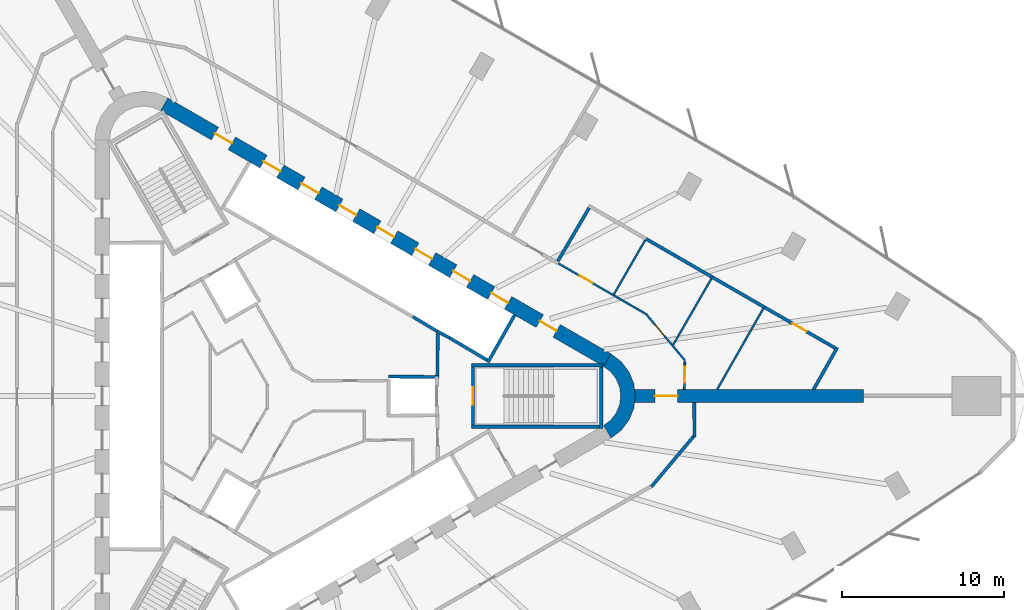
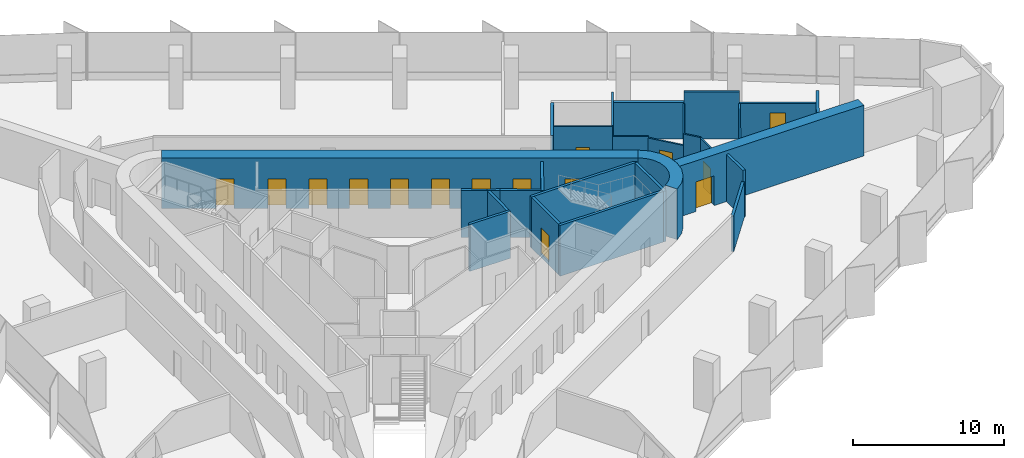
# One storey, part 12 of 14: 28 walls, 15 doors, 15 openings.
"""IFC4 building model written with IfcOpenShell, lengths in metres."""

from ifc_helpers import new_model, si_unit, direction, frame, frame_2d, origin, place, context, subcontext, project, spatial, polyline, rectangle, outline, extrude, material, layer, layer_set, type_object, element, fill, save


model = new_model("IFC4")

# Units and contexts
model_context = context("Model", 3, precision=1e-05, world=origin(), true_north=direction((0.0, 1.0)))
body_context = subcontext(model_context, "Body", "Model", "MODEL_VIEW")
ifc_project = project(units=[si_unit("LENGTHUNIT", "METRE"), si_unit("AREAUNIT", "SQUARE_METRE"), si_unit("VOLUMEUNIT", "CUBIC_METRE"), si_unit("PLANEANGLEUNIT", "RADIAN"), si_unit("MASSUNIT", "GRAM", prefix="KILO")], contexts=[model_context])

# Site, building, storey
site_placement = place(None, origin())
site = spatial("IfcSite", under=ifc_project, at=site_placement, CompositionType="ELEMENT")
building_placement = place(site_placement, origin())
building = spatial("IfcBuilding", under=site, at=building_placement, Name="Tanit Gate Tower", CompositionType="ELEMENT")
storey_placement = place(building_placement, frame((0.0, 0.0, 49.60009765625)))
storey = spatial("IfcBuildingStorey", under=building, at=storey_placement, Name="L08", CompositionType="ELEMENT", Elevation=49.60009765625)

# Wall, opening, door
ifc_material_1 = material(Name="Concrete C60/75", Category="concrete")
ifc_layer_1 = layer(ifc_material_1, 0.800048828125)
ifc_layer_set_1 = layer_set([ifc_layer_1], Name="BUTTRESS FIN 800 C60/75")
wall_type_1 = type_object("IfcWallType", Name="BUTTRESS FIN 800 C60/75", PredefinedType="SHEAR", material=ifc_layer_set_1)
wall_1_placement = place(storey_placement, frame((21.14990234375, 0.0, 0.0), z_axis=(0.0, 0.0, 1.0), x_axis=(1.0, 0.0, 0.0)))
wall_1 = element("IfcWall", 1, at=wall_1_placement, inside=storey, type_object=wall_type_1, Name="BUTTRESS FIN", PredefinedType="SHEAR", context=body_context, shape_type="SweptSolid", body=[
    extrude(rectangle(XDim=14.09814453125, YDim=0.800048828125, at=frame_2d((7.049072265625, 0.0))), origin(), (0.0, 0.0, 1.0), 4.099853515625),
])
opening_1_placement = place(wall_1_placement, frame((1.25, 0.0, 0.0)))
opening_1 = element("IfcOpeningElement", 2, at=opening_1_placement, cuts=wall_1, Name="Opening P14-S00-F-E-1", PredefinedType="OPENING", context=body_context, shape_type="SweptSolid", body=[
    extrude(rectangle(XDim=1.39990234375, YDim=2.39990234375, at=frame_2d((0.699951171875, 1.199951171875))), frame((0.0, 0.41015625, 0.0), z_axis=(0.0, -1.0, 0.0), x_axis=(1.0, 0.0, 0.0)), (0.0, 0.0, 1.0), 0.820068359375),
])
ifc_material_2 = material(Name="Timber door leaf", Category="wood")
door_type_1 = type_object("IfcDoorType", Name="INT-DOOR-FIN-PAIR-1400", OperationType="NOTDEFINED", PredefinedType="NOTDEFINED", material=ifc_material_2)
door_1_placement = place(opening_1_placement, origin())
door_1 = element("IfcDoor", 3, at=door_1_placement, inside=storey, type_object=door_type_1, Name="Door P14-S00-F-E-1", OperationType="DOUBLE_DOOR_SINGLE_SWING", OverallHeight=2.39990234375, OverallWidth=1.39990234375, PredefinedType="NOTDEFINED", context=body_context, shape_type="SweptSolid", body=[
    extrude(rectangle(XDim=1.39990234375, YDim=2.39990234375, at=frame_2d((0.699951171875, 1.199951171875))), frame((0.0, 0.02490234375, 0.0), z_axis=(0.0, -1.0, 0.0), x_axis=(1.0, 0.0, 0.0)), (0.0, 0.0, 1.0), 0.050048828125),
])
fill(opening_1, door_1)

# Wall, openings, doors
ifc_material_3 = material(Name="Concrete C60/75", Category="concrete")
ifc_layer_2 = layer(ifc_material_3, 0.89990234375)
ifc_layer_set_2 = layer_set([ifc_layer_2], Name="CORE WALL 900 C60/75")
wall_type_2 = type_object("IfcWallType", Name="CORE WALL 900 C60/75", PredefinedType="SHEAR", material=ifc_layer_set_2)
wall_2_placement = place(storey_placement, frame((19.47509765625, 2.20849609375, 0.0), z_axis=(0.0, 0.0, 1.0), x_axis=(-0.866028369851, 0.499994862586, 0.0)))
wall_2 = element("IfcWall", 4, at=wall_2_placement, inside=storey, type_object=wall_type_2, Name="CORE WALL", PredefinedType="SHEAR", context=body_context, shape_type="SweptSolid", body=[
    extrude(rectangle(XDim=31.523193359375, YDim=0.89990234375, at=frame_2d((15.76171875, 0.0))), origin(), (0.0, 0.0, 1.0), 4.099853515625),
])
opening_2_placement = place(wall_2_placement, frame((7.0615234375, 0.0, 0.0)))
opening_2 = element("IfcOpeningElement", 5, at=opening_2_placement, cuts=wall_2, Name="Opening LDLL8-S00", PredefinedType="OPENING", context=body_context, shape_type="SweptSolid", body=[
    extrude(rectangle(XDim=1.199951171875, YDim=2.39990234375, at=frame_2d((0.60009765625, 1.199951171875))), frame((0.0, 0.4599609375, 0.0), z_axis=(0.0, -1.0, 0.0), x_axis=(1.0, 0.0, 0.0)), (0.0, 0.0, 1.0), 0.919921875),
])
opening_3_placement = place(wall_2_placement, frame((9.76171875, 0.0, 0.0)))
opening_3 = element("IfcOpeningElement", 6, at=opening_3_placement, cuts=wall_2, Name="Opening LDLL9-S00", PredefinedType="OPENING", context=body_context, shape_type="SweptSolid", body=[
    extrude(rectangle(XDim=1.199951171875, YDim=2.39990234375, at=frame_2d((0.60009765625, 1.199951171875))), frame((0.0, 0.4599609375, 0.0), z_axis=(0.0, -1.0, 0.0), x_axis=(1.0, 0.0, 0.0)), (0.0, 0.0, 1.0), 0.919921875),
])
opening_4_placement = place(wall_2_placement, frame((12.461669921875, 0.0, 0.0)))
opening_4 = element("IfcOpeningElement", 7, at=opening_4_placement, cuts=wall_2, Name="Opening LDLL10-S00", PredefinedType="OPENING", context=body_context, shape_type="SweptSolid", body=[
    extrude(rectangle(XDim=1.199951171875, YDim=2.39990234375, at=frame_2d((0.60009765625, 1.199951171875))), frame((0.0, 0.4599609375, 0.0), z_axis=(0.0, -1.0, 0.0), x_axis=(1.0, 0.0, 0.0)), (0.0, 0.0, 1.0), 0.919921875),
])
opening_5_placement = place(wall_2_placement, frame((15.16162109375, 0.0, 0.0)))
opening_5 = element("IfcOpeningElement", 8, at=opening_5_placement, cuts=wall_2, Name="Opening LDSL1-S00", PredefinedType="OPENING", context=body_context, shape_type="SweptSolid", body=[
    extrude(rectangle(XDim=1.199951171875, YDim=2.39990234375, at=frame_2d((0.60009765625, 1.199951171875))), frame((0.0, 0.4599609375, 0.0), z_axis=(0.0, -1.0, 0.0), x_axis=(1.0, 0.0, 0.0)), (0.0, 0.0, 1.0), 0.919921875),
])
opening_6_placement = place(wall_2_placement, frame((17.861572265625, 0.0, 0.0)))
opening_6 = element("IfcOpeningElement", 9, at=opening_6_placement, cuts=wall_2, Name="Opening LDSL2-S00", PredefinedType="OPENING", context=body_context, shape_type="SweptSolid", body=[
    extrude(rectangle(XDim=1.199951171875, YDim=2.39990234375, at=frame_2d((0.60009765625, 1.199951171875))), frame((0.0, 0.4599609375, 0.0), z_axis=(0.0, -1.0, 0.0), x_axis=(1.0, 0.0, 0.0)), (0.0, 0.0, 1.0), 0.919921875),
])
opening_7_placement = place(wall_2_placement, frame((20.5615234375, 0.0, 0.0)))
opening_7 = element("IfcOpeningElement", 10, at=opening_7_placement, cuts=wall_2, Name="Opening LDSL3-S00", PredefinedType="OPENING", context=body_context, shape_type="SweptSolid", body=[
    extrude(rectangle(XDim=1.199951171875, YDim=2.39990234375, at=frame_2d((0.60009765625, 1.199951171875))), frame((0.0, 0.4599609375, 0.0), z_axis=(0.0, -1.0, 0.0), x_axis=(1.0, 0.0, 0.0)), (0.0, 0.0, 1.0), 0.919921875),
])
opening_8_placement = place(wall_2_placement, frame((23.26171875, 0.0, 0.0)))
opening_8 = element("IfcOpeningElement", 11, at=opening_8_placement, cuts=wall_2, Name="Opening LDSL4-S00", PredefinedType="OPENING", context=body_context, shape_type="SweptSolid", body=[
    extrude(rectangle(XDim=1.199951171875, YDim=2.39990234375, at=frame_2d((0.60009765625, 1.199951171875))), frame((0.0, 0.4599609375, 0.0), z_axis=(0.0, -1.0, 0.0), x_axis=(1.0, 0.0, 0.0)), (0.0, 0.0, 1.0), 0.919921875),
])
opening_9_placement = place(wall_2_placement, frame((3.611572265625, 0.0, 0.0)))
opening_9 = element("IfcOpeningElement", 12, at=opening_9_placement, cuts=wall_2, Name="Opening F12-S00-FL1", PredefinedType="OPENING", context=body_context, shape_type="SweptSolid", body=[
    extrude(rectangle(XDim=1.199951171875, YDim=2.39990234375, at=frame_2d((0.60009765625, 1.199951171875))), frame((0.0, 0.4599609375, 0.0), z_axis=(0.0, -1.0, 0.0), x_axis=(1.0, 0.0, 0.0)), (0.0, 0.0, 1.0), 0.919921875),
])
opening_10_placement = place(wall_2_placement, frame((26.711669921875, 0.0, 0.0)))
opening_10 = element("IfcOpeningElement", 13, at=opening_10_placement, cuts=wall_2, Name="Opening F12-S00-S2", PredefinedType="OPENING", context=body_context, shape_type="SweptSolid", body=[
    extrude(rectangle(XDim=1.199951171875, YDim=2.39990234375, at=frame_2d((0.60009765625, 1.199951171875))), frame((0.0, 0.4599609375, 0.0), z_axis=(0.0, -1.0, 0.0), x_axis=(1.0, 0.0, 0.0)), (0.0, 0.0, 1.0), 0.919921875),
])
ifc_material_4 = material(Name="Fire-rated steel door leaf", Category="steel")
door_type_2 = type_object("IfcDoorType", Name="INT-DOOR-FIRE-LOBBY-1200", OperationType="NOTDEFINED", PredefinedType="USERDEFINED", material=ifc_material_4)
door_2_placement = place(opening_9_placement, origin())
door_2 = element("IfcDoor", 14, at=door_2_placement, inside=storey, type_object=door_type_2, Name="Door F12-S00-FL1", ObjectType="FIRE DOOR", OperationType="SINGLE_SWING_LEFT", OverallHeight=2.39990234375, OverallWidth=1.199951171875, PredefinedType="USERDEFINED", context=body_context, shape_type="SweptSolid", body=[
    extrude(rectangle(XDim=1.199951171875, YDim=2.39990234375, at=frame_2d((0.60009765625, 1.199951171875))), frame((0.0, 0.02490234375, 0.0), z_axis=(0.0, -1.0, 0.0), x_axis=(1.0, 0.0, 0.0)), (0.0, 0.0, 1.0), 0.050048828125),
])
fill(opening_9, door_2)
door_3_placement = place(opening_10_placement, origin())
door_3 = element("IfcDoor", 15, at=door_3_placement, inside=storey, type_object=door_type_2, Name="Door F12-S00-S2", ObjectType="FIRE DOOR", OperationType="SINGLE_SWING_LEFT", OverallHeight=2.39990234375, OverallWidth=1.199951171875, PredefinedType="USERDEFINED", context=body_context, shape_type="SweptSolid", body=[
    extrude(rectangle(XDim=1.199951171875, YDim=2.39990234375, at=frame_2d((0.60009765625, 1.199951171875))), frame((0.0, 0.02490234375, 0.0), z_axis=(0.0, -1.0, 0.0), x_axis=(1.0, 0.0, 0.0)), (0.0, 0.0, 1.0), 0.050048828125),
])
fill(opening_10, door_3)
ifc_material_5 = material(Name="Stainless steel sliding door leaf", Category="steel")
door_type_3 = type_object("IfcDoorType", Name="INT-DOOR-LANDING-1200", OperationType="NOTDEFINED", PredefinedType="USERDEFINED", material=ifc_material_5)
door_4_placement = place(opening_2_placement, origin())
door_4 = element("IfcDoor", 16, at=door_4_placement, inside=storey, type_object=door_type_3, Name="Door LDLL8-S00", ObjectType="LANDING DOOR", OperationType="SLIDING_TO_LEFT", OverallHeight=2.39990234375, OverallWidth=1.199951171875, PredefinedType="USERDEFINED", context=body_context, shape_type="SweptSolid", body=[
    extrude(rectangle(XDim=1.199951171875, YDim=2.39990234375, at=frame_2d((0.60009765625, 1.199951171875))), frame((0.0, 0.02490234375, 0.0), z_axis=(0.0, -1.0, 0.0), x_axis=(1.0, 0.0, 0.0)), (0.0, 0.0, 1.0), 0.050048828125),
])
fill(opening_2, door_4)
door_5_placement = place(opening_3_placement, origin())
door_5 = element("IfcDoor", 17, at=door_5_placement, inside=storey, type_object=door_type_3, Name="Door LDLL9-S00", ObjectType="LANDING DOOR", OperationType="SLIDING_TO_LEFT", OverallHeight=2.39990234375, OverallWidth=1.199951171875, PredefinedType="USERDEFINED", context=body_context, shape_type="SweptSolid", body=[
    extrude(rectangle(XDim=1.199951171875, YDim=2.39990234375, at=frame_2d((0.60009765625, 1.199951171875))), frame((0.0, 0.02490234375, 0.0), z_axis=(0.0, -1.0, 0.0), x_axis=(1.0, 0.0, 0.0)), (0.0, 0.0, 1.0), 0.050048828125),
])
fill(opening_3, door_5)
door_6_placement = place(opening_4_placement, origin())
door_6 = element("IfcDoor", 18, at=door_6_placement, inside=storey, type_object=door_type_3, Name="Door LDLL10-S00", ObjectType="LANDING DOOR", OperationType="SLIDING_TO_LEFT", OverallHeight=2.39990234375, OverallWidth=1.199951171875, PredefinedType="USERDEFINED", context=body_context, shape_type="SweptSolid", body=[
    extrude(rectangle(XDim=1.199951171875, YDim=2.39990234375, at=frame_2d((0.60009765625, 1.199951171875))), frame((0.0, 0.02490234375, 0.0), z_axis=(0.0, -1.0, 0.0), x_axis=(1.0, 0.0, 0.0)), (0.0, 0.0, 1.0), 0.050048828125),
])
fill(opening_4, door_6)
door_7_placement = place(opening_5_placement, origin())
door_7 = element("IfcDoor", 19, at=door_7_placement, inside=storey, type_object=door_type_3, Name="Door LDSL1-S00", ObjectType="LANDING DOOR", OperationType="SLIDING_TO_LEFT", OverallHeight=2.39990234375, OverallWidth=1.199951171875, PredefinedType="USERDEFINED", context=body_context, shape_type="SweptSolid", body=[
    extrude(rectangle(XDim=1.199951171875, YDim=2.39990234375, at=frame_2d((0.60009765625, 1.199951171875))), frame((0.0, 0.02490234375, 0.0), z_axis=(0.0, -1.0, 0.0), x_axis=(1.0, 0.0, 0.0)), (0.0, 0.0, 1.0), 0.050048828125),
])
fill(opening_5, door_7)
door_8_placement = place(opening_6_placement, origin())
door_8 = element("IfcDoor", 20, at=door_8_placement, inside=storey, type_object=door_type_3, Name="Door LDSL2-S00", ObjectType="LANDING DOOR", OperationType="SLIDING_TO_LEFT", OverallHeight=2.39990234375, OverallWidth=1.199951171875, PredefinedType="USERDEFINED", context=body_context, shape_type="SweptSolid", body=[
    extrude(rectangle(XDim=1.199951171875, YDim=2.39990234375, at=frame_2d((0.60009765625, 1.199951171875))), frame((0.0, 0.02490234375, 0.0), z_axis=(0.0, -1.0, 0.0), x_axis=(1.0, 0.0, 0.0)), (0.0, 0.0, 1.0), 0.050048828125),
])
fill(opening_6, door_8)
door_9_placement = place(opening_7_placement, origin())
door_9 = element("IfcDoor", 21, at=door_9_placement, inside=storey, type_object=door_type_3, Name="Door LDSL3-S00", ObjectType="LANDING DOOR", OperationType="SLIDING_TO_LEFT", OverallHeight=2.39990234375, OverallWidth=1.199951171875, PredefinedType="USERDEFINED", context=body_context, shape_type="SweptSolid", body=[
    extrude(rectangle(XDim=1.199951171875, YDim=2.39990234375, at=frame_2d((0.60009765625, 1.199951171875))), frame((0.0, 0.02490234375, 0.0), z_axis=(0.0, -1.0, 0.0), x_axis=(1.0, 0.0, 0.0)), (0.0, 0.0, 1.0), 0.050048828125),
])
fill(opening_7, door_9)
door_10_placement = place(opening_8_placement, origin())
door_10 = element("IfcDoor", 22, at=door_10_placement, inside=storey, type_object=door_type_3, Name="Door LDSL4-S00", ObjectType="LANDING DOOR", OperationType="SLIDING_TO_LEFT", OverallHeight=2.39990234375, OverallWidth=1.199951171875, PredefinedType="USERDEFINED", context=body_context, shape_type="SweptSolid", body=[
    extrude(rectangle(XDim=1.199951171875, YDim=2.39990234375, at=frame_2d((0.60009765625, 1.199951171875))), frame((0.0, 0.02490234375, 0.0), z_axis=(0.0, -1.0, 0.0), x_axis=(1.0, 0.0, 0.0)), (0.0, 0.0, 1.0), 0.050048828125),
])
fill(opening_8, door_10)

# Walls
wall_3_placement = place(storey_placement, origin())
element("IfcWall", 23, at=wall_3_placement, inside=storey, type_object=wall_type_2, Name="CORE WALL CORNER", PredefinedType="SHEAR", context=body_context, shape_type="SweptSolid", body=[
    extrude(outline(polyline([(19.699951171875, -2.59814453125), (20.3212890625, -2.121337890625), (20.798095703125, -1.5), (21.097900390625, -0.776611328125), (21.199951171875, 0.0), (21.097900390625, 0.776611328125), (20.798095703125, 1.5), (20.3212890625, 2.121337890625), (19.699951171875, 2.59814453125), (19.25, 1.818603515625), (19.684814453125, 1.48486328125), (20.018798828125, 1.050048828125), (20.228515625, 0.54345703125), (20.300048828125, 0.0), (20.228515625, -0.54345703125), (20.018798828125, -1.050048828125), (19.684814453125, -1.48486328125), (19.25, -1.818603515625), (19.699951171875, -2.59814453125)])), origin(), (0.0, 0.0, 1.0), 4.099853515625),
])
ifc_material_6 = material(Name="Fire-rated gypsum board partition")
ifc_layer_3 = layer(ifc_material_6, 0.199951171875)
ifc_layer_set_3 = layer_set([ifc_layer_3], Name="INT-WALL-COMPARTMENT")
wall_type_3 = type_object("IfcWallType", Name="INT-WALL-COMPARTMENT", PredefinedType="PARTITIONING", material=ifc_layer_set_3)
wall_4_placement = place(storey_placement, frame((9.0009765625, 1.27001953125, 0.0), z_axis=(0.0, 0.0, 1.0), x_axis=(0.010784614026, 0.999941844359, 0.0)))
element("IfcWall", 24, at=wall_4_placement, inside=storey, type_object=wall_type_3, Name="Wall Compartment W059", PredefinedType="PARTITIONING", context=body_context, shape_type="SweptSolid", body=[
    extrude(rectangle(XDim=2.580810546875, YDim=0.199951171875, at=frame_2d((1.29052734375, 0.0))), origin(), (0.0, 0.0, 1.0), 3.7998046875),
])
wall_5_placement = place(storey_placement, frame((24.84765625, -2.53515625, 0.0), z_axis=(0.0, 0.0, 1.0), x_axis=(-0.012347560796, 0.999923765965, 0.0)))
element("IfcWall", 25, at=wall_5_placement, inside=storey, type_object=wall_type_3, Name="Wall Compartment W109", PredefinedType="PARTITIONING", context=body_context, shape_type="SweptSolid", body=[
    extrude(rectangle(XDim=2.135498046875, YDim=0.199951171875, at=frame_2d((1.06787109375, 0.0))), origin(), (0.0, 0.0, 1.0), 3.7998046875),
])
wall_6_placement = place(storey_placement, frame((22.184814453125, -5.5908203125, 0.0), z_axis=(0.0, 0.0, 1.0), x_axis=(0.642774966428, 0.766055051894, 0.0)))
element("IfcWall", 26, at=wall_6_placement, inside=storey, type_object=wall_type_3, Name="Wall Compartment W110", PredefinedType="PARTITIONING", context=body_context, shape_type="SweptSolid", body=[
    extrude(rectangle(XDim=4.091552734375, YDim=0.199951171875, at=frame_2d((2.0458984375, 0.0))), origin(), (0.0, 0.0, 1.0), 2.8798828125),
])
wall_7_placement = place(storey_placement, frame((21.849853515625, 9.682373046875, 0.0), z_axis=(0.0, 0.0, 1.0), x_axis=(0.866018431725, -0.500012075767, 0.0)))
element("IfcWall", 27, at=wall_7_placement, inside=storey, type_object=wall_type_3, Name="Wall Compartment W126", PredefinedType="PARTITIONING", context=body_context, shape_type="SweptSolid", body=[
    extrude(rectangle(XDim=4.71875, YDim=0.199951171875, at=frame_2d((2.359375, 0.0))), origin(), (0.0, 0.0, 1.0), 2.97998046875),
])
wall_8_placement = place(storey_placement, frame((25.936279296875, 7.322998046875, 0.0), z_axis=(0.0, 0.0, 1.0), x_axis=(0.866035727774, -0.499982117899, 0.0)))
element("IfcWall", 28, at=wall_8_placement, inside=storey, type_object=wall_type_3, Name="Wall Compartment W127", PredefinedType="PARTITIONING", context=body_context, shape_type="SweptSolid", body=[
    extrude(rectangle(XDim=3.689697265625, YDim=0.199951171875, at=frame_2d((1.8447265625, 0.0))), origin(), (0.0, 0.0, 1.0), 3.7998046875),
])

# Wall, opening, door
wall_9_placement = place(storey_placement, frame((29.131591796875, 5.478271484375, 0.0), z_axis=(0.0, 0.0, 1.0), x_axis=(0.866009287374, -0.500027913402, 0.0)))
wall_9 = element("IfcWall", 29, at=wall_9_placement, inside=storey, type_object=wall_type_3, Name="Wall Compartment W129", PredefinedType="PARTITIONING", context=body_context, shape_type="SweptSolid", body=[
    extrude(rectangle(XDim=5.050537109375, YDim=0.199951171875, at=frame_2d((2.525390625, 0.0))), origin(), (0.0, 0.0, 1.0), 2.8798828125),
])
opening_11_placement = place(wall_9_placement, frame((2.025390625, 0.0, 0.0)))
opening_11 = element("IfcOpeningElement", 30, at=opening_11_placement, cuts=wall_9, Name="Opening F10-S00-20", PredefinedType="OPENING", context=body_context, shape_type="SweptSolid", body=[
    extrude(rectangle(XDim=1.0, YDim=2.10009765625, at=frame_2d((0.5, 1.050048828125))), frame((0.0, 0.10986328125, 0.0), z_axis=(0.0, -1.0, 0.0), x_axis=(1.0, 0.0, 0.0)), (0.0, 0.0, 1.0), 0.219970703125),
])
ifc_material_7 = material(Name="Fire-rated steel door leaf", Category="steel")
door_type_4 = type_object("IfcDoorType", Name="INT-DOOR-FIRE-1000", OperationType="NOTDEFINED", PredefinedType="USERDEFINED", material=ifc_material_7)
door_11_placement = place(opening_11_placement, origin())
door_11 = element("IfcDoor", 31, at=door_11_placement, inside=storey, type_object=door_type_4, Name="Door F10-S00-20", ObjectType="FIRE DOOR", OperationType="SINGLE_SWING_RIGHT", OverallHeight=2.10009765625, OverallWidth=1.0, PredefinedType="USERDEFINED", context=body_context, shape_type="SweptSolid", body=[
    extrude(rectangle(XDim=1.0, YDim=2.10009765625, at=frame_2d((0.5, 1.050048828125))), frame((0.0, 0.02490234375, 0.0), z_axis=(0.0, -1.0, 0.0), x_axis=(1.0, 0.0, 0.0)), (0.0, 0.0, 1.0), 0.050048828125),
])
fill(opening_11, door_11)

# Walls
wall_10_placement = place(storey_placement, frame((18.351318359375, 11.586669921875, 0.0), z_axis=(0.0, 0.0, 1.0), x_axis=(-0.506482355277, -0.862250325482, 0.0)))
element("IfcWall", 32, at=wall_10_placement, inside=storey, type_object=wall_type_3, Name="Wall Compartment W125", PredefinedType="PARTITIONING", context=body_context, shape_type="SweptSolid", body=[
    extrude(rectangle(XDim=3.81005859375, YDim=0.199951171875, at=frame_2d((1.905029296875, 0.0))), origin(), (0.0, 0.0, 1.0), 2.97998046875),
])
wall_11_placement = place(storey_placement, frame((32.1767578125, 0.39990234375, 0.0), z_axis=(0.0, 0.0, 1.0), x_axis=(0.492157292939, 0.870506288895, 0.0)))
element("IfcWall", 33, at=wall_11_placement, inside=storey, type_object=wall_type_3, Name="Wall Compartment W128", PredefinedType="PARTITIONING", context=body_context, shape_type="SweptSolid", body=[
    extrude(rectangle(XDim=2.975341796875, YDim=0.199951171875, at=frame_2d((1.48779296875, 0.0))), origin(), (0.0, 0.0, 1.0), 3.7998046875),
])
ifc_material_8 = material(Name="Gypsum board partition")
ifc_layer_4 = layer(ifc_material_8, 0.1201171875)
ifc_layer_set_4 = layer_set([ifc_layer_4], Name="INT-WALL-PARTITION")
wall_type_4 = type_object("IfcWallType", Name="INT-WALL-PARTITION", PredefinedType="PARTITIONING", material=ifc_layer_set_4)
wall_12_placement = place(storey_placement, frame((21.909423828125, 5.017578125, 0.0), z_axis=(0.0, 0.0, 1.0), x_axis=(-0.866054279967, 0.499949981648, 0.0)))
element("IfcWall", 34, at=wall_12_placement, inside=storey, type_object=wall_type_4, Name="Wall Partition W105", PredefinedType="PARTITIONING", context=body_context, shape_type="SweptSolid", body=[
    extrude(rectangle(XDim=2.384033203125, YDim=0.1201171875, at=frame_2d((1.19189453125, 0.0))), origin(), (0.0, 0.0, 1.0), 2.97998046875),
])

# Wall, opening, door
wall_13_placement = place(storey_placement, frame((19.8447265625, 6.20947265625, 0.0), z_axis=(0.0, 0.0, 1.0), x_axis=(-0.866002635216, 0.500039434245, 0.0)))
wall_13 = element("IfcWall", 35, at=wall_13_placement, inside=storey, type_object=wall_type_4, Name="Wall Partition W104", PredefinedType="PARTITIONING", context=body_context, shape_type="SweptSolid", body=[
    extrude(rectangle(XDim=3.911376953125, YDim=0.1201171875, at=frame_2d((1.95556640625, 0.0))), origin(), (0.0, 0.0, 1.0), 3.7998046875),
])
opening_12_placement = place(wall_13_placement, frame((1.505615234375, 0.0, 0.0)))
opening_12 = element("IfcOpeningElement", 36, at=opening_12_placement, cuts=wall_13, Name="Opening D09-S00-17", PredefinedType="OPENING", context=body_context, shape_type="SweptSolid", body=[
    extrude(rectangle(XDim=0.89990234375, YDim=2.10009765625, at=frame_2d((0.449951171875, 1.050048828125))), frame((0.0, 0.070068359375, 0.0), z_axis=(0.0, -1.0, 0.0), x_axis=(1.0, 0.0, 0.0)), (0.0, 0.0, 1.0), 0.14013671875),
])
ifc_material_9 = material(Name="Timber door leaf", Category="wood")
door_type_5 = type_object("IfcDoorType", Name="INT-DOOR-SINGLE-900", OperationType="NOTDEFINED", PredefinedType="NOTDEFINED", material=ifc_material_9)
door_12_placement = place(opening_12_placement, origin())
door_12 = element("IfcDoor", 37, at=door_12_placement, inside=storey, type_object=door_type_5, Name="Door D09-S00-17", OperationType="SINGLE_SWING_RIGHT", OverallHeight=2.10009765625, OverallWidth=0.89990234375, PredefinedType="NOTDEFINED", context=body_context, shape_type="SweptSolid", body=[
    extrude(rectangle(XDim=0.89990234375, YDim=2.10009765625, at=frame_2d((0.449951171875, 1.050048828125))), frame((0.0, 0.02490234375, 0.0), z_axis=(0.0, -1.0, 0.0), x_axis=(1.0, 0.0, 0.0)), (0.0, 0.0, 1.0), 0.050048828125),
])
fill(opening_12, door_12)

# Wall
wall_14_placement = place(storey_placement, frame((24.260498046875, 2.18359375, 0.0), z_axis=(0.0, 0.0, 1.0), x_axis=(-0.642765036977, 0.766063383304, 0.0)))
element("IfcWall", 38, at=wall_14_placement, inside=storey, type_object=wall_type_4, Name="Wall Partition W107", PredefinedType="PARTITIONING", context=body_context, shape_type="SweptSolid", body=[
    extrude(rectangle(XDim=1.18017578125, YDim=0.1201171875, at=frame_2d((0.590087890625, 0.0))), origin(), (0.0, 0.0, 1.0), 3.7998046875),
])

# Wall, opening, door
wall_15_placement = place(storey_placement, frame((23.501953125, 3.087646484375, 0.0), z_axis=(0.0, 0.0, 1.0), x_axis=(-0.642756581794, 0.766070477541, 0.0)))
wall_15 = element("IfcWall", 39, at=wall_15_placement, inside=storey, type_object=wall_type_4, Name="Wall Partition W106", PredefinedType="PARTITIONING", context=body_context, shape_type="SweptSolid", body=[
    extrude(rectangle(XDim=2.49853515625, YDim=0.1201171875, at=frame_2d((1.249267578125, 0.0))), origin(), (0.0, 0.0, 1.0), 2.8798828125),
])
opening_13_placement = place(wall_15_placement, frame((0.79931640625, 0.0, 0.0)))
opening_13 = element("IfcOpeningElement", 40, at=opening_13_placement, cuts=wall_15, Name="Opening D09-S00-18", PredefinedType="OPENING", context=body_context, shape_type="SweptSolid", body=[
    extrude(rectangle(XDim=0.89990234375, YDim=2.10009765625, at=frame_2d((0.449951171875, 1.050048828125))), frame((0.0, 0.070068359375, 0.0), z_axis=(0.0, -1.0, 0.0), x_axis=(1.0, 0.0, 0.0)), (0.0, 0.0, 1.0), 0.14013671875),
])
door_13_placement = place(opening_13_placement, origin())
door_13 = element("IfcDoor", 41, at=door_13_placement, inside=storey, type_object=door_type_5, Name="Door D09-S00-18", OperationType="SINGLE_SWING_RIGHT", OverallHeight=2.10009765625, OverallWidth=0.89990234375, PredefinedType="NOTDEFINED", context=body_context, shape_type="SweptSolid", body=[
    extrude(rectangle(XDim=0.89990234375, YDim=2.10009765625, at=frame_2d((0.449951171875, 1.050048828125))), frame((0.0, 0.02490234375, 0.0), z_axis=(0.0, -1.0, 0.0), x_axis=(1.0, 0.0, 0.0)), (0.0, 0.0, 1.0), 0.050048828125),
])
fill(opening_13, door_13)

wall_16_placement = place(storey_placement, frame((24.2216796875, 0.39990234375, 0.0), z_axis=(0.0, 0.0, 1.0), x_axis=(0.013570178926, 0.999907920883, 0.0)))
wall_16 = element("IfcWall", 42, at=wall_16_placement, inside=storey, type_object=wall_type_4, Name="Wall Partition W108", PredefinedType="PARTITIONING", context=body_context, shape_type="SweptSolid", body=[
    extrude(rectangle(XDim=1.709228515625, YDim=0.1201171875, at=frame_2d((0.8544921875, 0.0))), origin(), (0.0, 0.0, 1.0), 3.7998046875),
])
opening_14_placement = place(wall_16_placement, frame((0.404541015625, 0.0, 0.0)))
opening_14 = element("IfcOpeningElement", 43, at=opening_14_placement, cuts=wall_16, Name="Opening D10-S00-19", PredefinedType="OPENING", context=body_context, shape_type="SweptSolid", body=[
    extrude(rectangle(XDim=1.0, YDim=2.10009765625, at=frame_2d((0.5, 1.050048828125))), frame((0.0, 0.070068359375, 0.0), z_axis=(0.0, -1.0, 0.0), x_axis=(1.0, 0.0, 0.0)), (0.0, 0.0, 1.0), 0.14013671875),
])
ifc_material_10 = material(Name="Timber door leaf", Category="wood")
door_type_6 = type_object("IfcDoorType", Name="INT-DOOR-SINGLE-1000", OperationType="NOTDEFINED", PredefinedType="NOTDEFINED", material=ifc_material_10)
door_14_placement = place(opening_14_placement, origin())
door_14 = element("IfcDoor", 44, at=door_14_placement, inside=storey, type_object=door_type_6, Name="Door D10-S00-19", OperationType="SINGLE_SWING_LEFT", OverallHeight=2.10009765625, OverallWidth=1.0, PredefinedType="NOTDEFINED", context=body_context, shape_type="SweptSolid", body=[
    extrude(rectangle(XDim=1.0, YDim=2.10009765625, at=frame_2d((0.5, 1.050048828125))), frame((0.0, 0.02490234375, 0.0), z_axis=(0.0, -1.0, 0.0), x_axis=(1.0, 0.0, 0.0)), (0.0, 0.0, 1.0), 0.050048828125),
])
fill(opening_14, door_14)

# Walls
wall_17_placement = place(storey_placement, frame((21.7998046875, 9.595703125, 0.0), z_axis=(0.0, 0.0, 1.0), x_axis=(-0.500006057782, -0.866021906294, 0.0)))
element("IfcWall", 45, at=wall_17_placement, inside=storey, type_object=wall_type_4, Name="Wall Partition W131", PredefinedType="PARTITIONING", context=body_context, shape_type="SweptSolid", body=[
    extrude(rectangle(XDim=3.85009765625, YDim=0.1201171875, at=frame_2d((1.925048828125, 0.0))), origin(), (0.0, 0.0, 1.0), 3.7998046875),
])
wall_18_placement = place(storey_placement, frame((25.88623046875, 7.236328125, 0.0), z_axis=(0.0, 0.0, 1.0), x_axis=(-0.500001678427, -0.866024434742, 0.0)))
element("IfcWall", 46, at=wall_18_placement, inside=storey, type_object=wall_type_4, Name="Wall Partition W132", PredefinedType="PARTITIONING", context=body_context, shape_type="SweptSolid", body=[
    extrude(rectangle(XDim=4.7177734375, YDim=0.1201171875, at=frame_2d((2.35888671875, 0.0))), origin(), (0.0, 0.0, 1.0), 2.8798828125),
])
wall_19_placement = place(storey_placement, frame((29.08203125, 5.391357421875, 0.0), z_axis=(0.0, 0.0, 1.0), x_axis=(-0.495278409735, -0.868734307398, 0.0)))
element("IfcWall", 47, at=wall_19_placement, inside=storey, type_object=wall_type_4, Name="Wall Partition W133", PredefinedType="PARTITIONING", context=body_context, shape_type="SweptSolid", body=[
    extrude(rectangle(XDim=5.74560546875, YDim=0.1201171875, at=frame_2d((2.872802734375, 0.0))), origin(), (0.0, 0.0, 1.0), 2.8798828125),
])
ifc_material_11 = material(Name="Gypsum shaft wall system")
ifc_layer_5 = layer(ifc_material_11, 0.199951171875)
ifc_layer_set_5 = layer_set([ifc_layer_5], Name="INT-WALL-SHAFT")
wall_type_5 = type_object("IfcWallType", Name="INT-WALL-SHAFT", PredefinedType="PLUMBINGWALL", material=ifc_layer_set_5)
wall_20_placement = place(storey_placement, frame((12.10986328125, 2.07275390625, 0.0), z_axis=(0.0, 0.0, 1.0), x_axis=(0.49196600604, 0.870614408852, 0.0)))
element("IfcWall", 48, at=wall_20_placement, inside=storey, type_object=wall_type_5, Name="Wall Shaft W013", PredefinedType="PLUMBINGWALL", context=body_context, shape_type="SweptSolid", body=[
    extrude(rectangle(XDim=3.35009765625, YDim=0.199951171875, at=frame_2d((1.675048828125, 0.0))), origin(), (0.0, 0.0, 1.0), 3.7998046875),
])
wall_21_placement = place(storey_placement, frame((12.072998046875, 2.2109375, 0.0), z_axis=(0.0, 0.0, 1.0), x_axis=(-0.860438357912, 0.509554542943, 0.0)))
element("IfcWall", 49, at=wall_21_placement, inside=storey, type_object=wall_type_5, Name="Wall Shaft W014", PredefinedType="PLUMBINGWALL", context=body_context, shape_type="SweptSolid", body=[
    extrude(rectangle(XDim=2.700439453125, YDim=0.199951171875, at=frame_2d((1.35009765625, 0.0))), origin(), (0.0, 0.0, 1.0), 3.7998046875),
])
wall_22_placement = place(storey_placement, frame((9.74755859375, 3.583251953125, 0.0), z_axis=(0.0, 0.0, 1.0), x_axis=(-0.880917147855, 0.473270513147, 0.0)))
element("IfcWall", 50, at=wall_22_placement, inside=storey, type_object=wall_type_5, Name="Wall Shaft W015", PredefinedType="PLUMBINGWALL", context=body_context, shape_type="SweptSolid", body=[
    extrude(rectangle(XDim=0.8779296875, YDim=0.199951171875, at=frame_2d((0.43896484375, 0.0))), origin(), (0.0, 0.0, 1.0), 3.7998046875),
])
wall_23_placement = place(storey_placement, frame((9.0791015625, 3.93701171875, 0.0), z_axis=(0.0, 0.0, 1.0), x_axis=(-0.857516281273, 0.51445682749, 0.0)))
element("IfcWall", 51, at=wall_23_placement, inside=storey, type_object=wall_type_5, Name="Wall Shaft W016", PredefinedType="PLUMBINGWALL", context=body_context, shape_type="SweptSolid", body=[
    extrude(rectangle(XDim=1.8447265625, YDim=0.199951171875, at=frame_2d((0.92236328125, 0.0))), origin(), (0.0, 0.0, 1.0), 3.7998046875),
])
wall_24_placement = place(storey_placement, frame((6.0, 1.199951171875, 0.0), z_axis=(0.0, 0.0, 1.0), x_axis=(0.999949988, -0.010001074852, 0.0)))
element("IfcWall", 52, at=wall_24_placement, inside=storey, type_object=wall_type_5, Name="Wall Shaft W038", PredefinedType="PLUMBINGWALL", context=body_context, shape_type="SweptSolid", body=[
    extrude(rectangle(XDim=3.100341796875, YDim=0.199951171875, at=frame_2d((1.55029296875, 0.0))), origin(), (0.0, 0.0, 1.0), 3.7998046875),
])
ifc_material_12 = material(Name="Concrete C40/50", Category="concrete")
ifc_layer_6 = layer(ifc_material_12, 0.199951171875)
ifc_layer_set_6 = layer_set([ifc_layer_6], Name="INT-WALL-STAIR")
wall_type_6 = type_object("IfcWallType", Name="INT-WALL-STAIR", PredefinedType="SHEAR", material=ifc_layer_set_6)
wall_25_placement = place(storey_placement, frame((19.199951171875, 1.89990234375, -0.300048828125), z_axis=(0.0, 0.0, 1.0), x_axis=(-1.0, 0.0, 0.0)))
element("IfcWall", 53, at=wall_25_placement, inside=storey, type_object=wall_type_6, Name="Wall Stair W033", PredefinedType="SHEAR", context=body_context, shape_type="SweptSolid", body=[
    extrude(rectangle(XDim=8.099853515625, YDim=0.199951171875, at=frame_2d((4.0498046875, 0.0))), origin(), (0.0, 0.0, 1.0), 4.099853515625),
])
wall_26_placement = place(storey_placement, frame((19.10009765625, -2.0, -0.300048828125), z_axis=(0.0, 0.0, 1.0), x_axis=(0.0, 1.0, 0.0)))
element("IfcWall", 54, at=wall_26_placement, inside=storey, type_object=wall_type_6, Name="Wall Stair W034", PredefinedType="SHEAR", context=body_context, shape_type="SweptSolid", body=[
    extrude(rectangle(XDim=3.800048828125, YDim=0.199951171875, at=frame_2d((1.89990234375, 0.0))), origin(), (0.0, 0.0, 1.0), 4.099853515625),
])
wall_27_placement = place(storey_placement, frame((11.10009765625, -1.89990234375, -0.300048828125), z_axis=(0.0, 0.0, 1.0), x_axis=(1.0, 0.0, 0.0)))
element("IfcWall", 55, at=wall_27_placement, inside=storey, type_object=wall_type_6, Name="Wall Stair W035", PredefinedType="SHEAR", context=body_context, shape_type="SweptSolid", body=[
    extrude(rectangle(XDim=7.89990234375, YDim=0.199951171875, at=frame_2d((3.949951171875, 0.0))), origin(), (0.0, 0.0, 1.0), 4.099853515625),
])

# Wall, opening, door
wall_28_placement = place(storey_placement, frame((11.199951171875, -1.800048828125, -0.300048828125), z_axis=(0.0, 0.0, 1.0), x_axis=(0.0, 1.0, 0.0)))
wall_28 = element("IfcWall", 56, at=wall_28_placement, inside=storey, type_object=wall_type_6, Name="Wall Stair W036", PredefinedType="SHEAR", context=body_context, shape_type="SweptSolid", body=[
    extrude(rectangle(XDim=3.60009765625, YDim=0.199951171875, at=frame_2d((1.800048828125, 0.0))), origin(), (0.0, 0.0, 1.0), 4.099853515625),
])
opening_15_placement = place(wall_28_placement, frame((1.25, 0.0, 0.300048828125)))
opening_15 = element("IfcOpeningElement", 57, at=opening_15_placement, cuts=wall_28, Name="Opening S11-S00-01", PredefinedType="OPENING", context=body_context, shape_type="SweptSolid", body=[
    extrude(rectangle(XDim=1.10009765625, YDim=2.10009765625, at=frame_2d((0.550048828125, 1.050048828125))), frame((0.0, 0.10986328125, 0.0), z_axis=(0.0, -1.0, 0.0), x_axis=(1.0, 0.0, 0.0)), (0.0, 0.0, 1.0), 0.219970703125),
])
ifc_material_13 = material(Name="Timber door leaf", Category="wood")
door_type_7 = type_object("IfcDoorType", Name="INT-DOOR-STAIR-1100", OperationType="NOTDEFINED", PredefinedType="USERDEFINED", material=ifc_material_13)
door_15_placement = place(opening_15_placement, origin())
door_15 = element("IfcDoor", 58, at=door_15_placement, inside=storey, type_object=door_type_7, Name="Door S11-S00-01", ObjectType="FIRE DOOR", OperationType="SINGLE_SWING_RIGHT", OverallHeight=2.10009765625, OverallWidth=1.10009765625, PredefinedType="USERDEFINED", context=body_context, shape_type="SweptSolid", body=[
    extrude(rectangle(XDim=1.10009765625, YDim=2.10009765625, at=frame_2d((0.550048828125, 1.050048828125))), frame((0.0, 0.02490234375, 0.0), z_axis=(0.0, -1.0, 0.0), x_axis=(1.0, 0.0, 0.0)), (0.0, 0.0, 1.0), 0.050048828125),
])
fill(opening_15, door_15)

save(model, "model.ifc")
